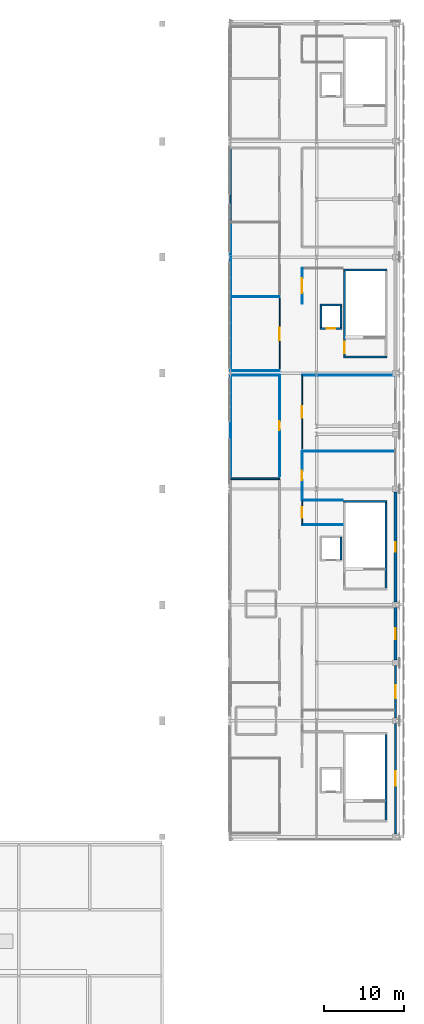
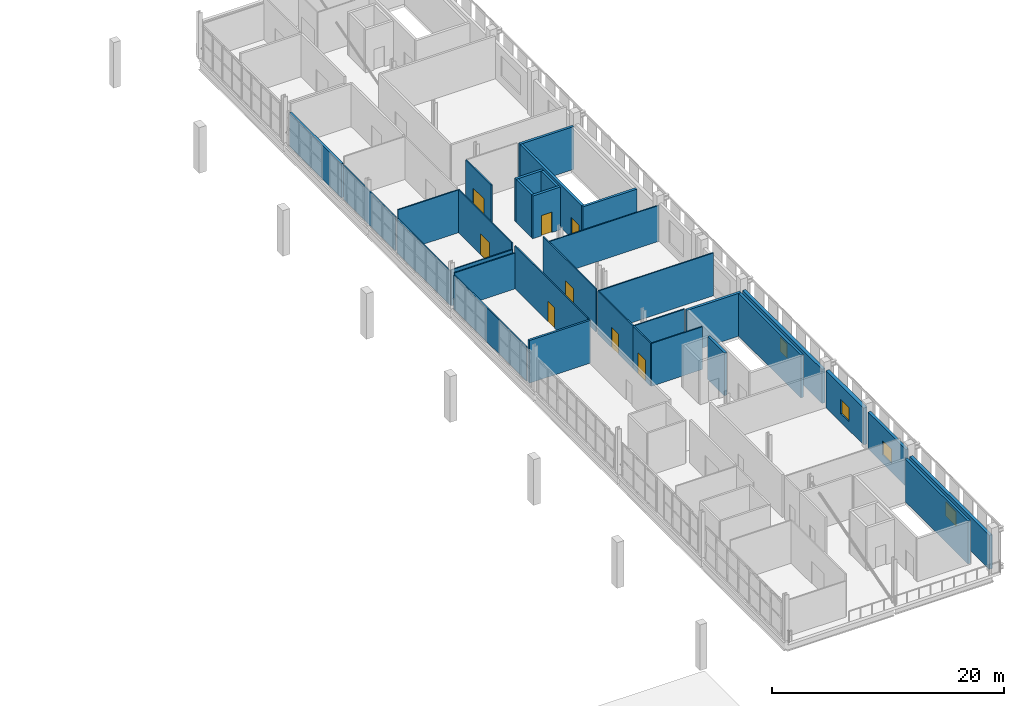
# One storey, part 37 of 51: 33 walls, 8 doors, 4 windows, 12 openings.
"""IFC4 building model written with IfcOpenShell, lengths in metres."""

from ifc_helpers import new_model, si_unit, direction, frame, frame_2d, origin, place, context, subcontext, project, spatial, rectangle, extrude, material, layer, layer_set, type_object, element, fill, save


model = new_model("IFC4")

# Units and contexts
model_context = context("Model", 3, precision=1e-05, world=origin(), true_north=direction((0.0, 1.0)))
body_context = subcontext(model_context, "Body", "Model", "MODEL_VIEW")
ifc_project = project(units=[si_unit("LENGTHUNIT", "METRE"), si_unit("AREAUNIT", "SQUARE_METRE"), si_unit("VOLUMEUNIT", "CUBIC_METRE"), si_unit("PLANEANGLEUNIT", "RADIAN"), si_unit("MASSUNIT", "GRAM", prefix="KILO")], contexts=[model_context])

# Site, building, storey
site_placement = place(None, origin())
site = spatial("IfcSite", under=ifc_project, at=site_placement, CompositionType="ELEMENT")
building_placement = place(site_placement, origin())
building = spatial("IfcBuilding", under=site, at=building_placement, Name="Koshinbarg Plaza Stadium", CompositionType="ELEMENT")
storey_placement = place(building_placement, frame((0.0, 0.0, 24.60009765625)))
storey = spatial("IfcBuildingStorey", under=building, at=storey_placement, Name="L05", CompositionType="ELEMENT", Elevation=24.60009765625)

# Walls
ifc_material_1 = material(Name="Concrete C40/50", Category="concrete")
ifc_layer_1 = layer(ifc_material_1, 0.25)
ifc_layer_set_1 = layer_set([ifc_layer_1], Name="Concrete C40/50")
wall_type_1 = type_object("IfcWallType", Name="WL-CORE-250", PredefinedType="SHEAR", material=ifc_layer_set_1)
wall_1_placement = place(storey_placement, frame((217.195068359375, 27.47509765625, 0.0), z_axis=(0.0, 0.0, 1.0), x_axis=(0.0, 1.0, 0.0)))
element("IfcWall", 1, at=wall_1_placement, inside=storey, type_object=wall_type_1, Name="L05 core stair shear wall C07-right IWL-L05-0185", PredefinedType="SHEAR", context=body_context, shape_type="SweptSolid", body=[
    extrude(rectangle(XDim=10.849853515625, YDim=0.25, at=frame_2d((5.4248046875, 0.0))), origin(), (0.0, 0.0, 1.0), 4.5),
])
wall_2_placement = place(storey_placement, frame((217.320068359375, 67.125, 0.0), z_axis=(0.0, 0.0, 1.0), x_axis=(-1.0, 0.0, 0.0)))
element("IfcWall", 2, at=wall_2_placement, inside=storey, type_object=wall_type_1, Name="L05 core stair shear wall C08-far IWL-L05-0207", PredefinedType="SHEAR", context=body_context, shape_type="SweptSolid", body=[
    extrude(rectangle(XDim=5.3701171875, YDim=0.25, at=frame_2d((2.68505859375, 0.0))), origin(), (0.0, 0.0, 1.0), 4.5),
])
wall_3_placement = place(storey_placement, frame((217.195068359375, 56.27490234375, 0.0), z_axis=(0.0, 0.0, 1.0), x_axis=(0.0, 1.0, 0.0)))
element("IfcWall", 3, at=wall_3_placement, inside=storey, type_object=wall_type_1, Name="L05 core stair shear wall C08-right IWL-L05-0209", PredefinedType="SHEAR", context=body_context, shape_type="SweptSolid", body=[
    extrude(rectangle(XDim=10.85009765625, YDim=0.25, at=frame_2d((5.425048828125, 0.0))), origin(), (0.0, 0.0, 1.0), 4.5),
])
for number, where, z_axis, x_axis, name in (
    (4, (211.949951171875, 85.074951171875, 0.0), (0.0, 0.0, 1.0), (1.0, 0.0, 0.0), "L05 core stair shear wall C09-near IWL-L05-0230"),
    (5, (217.320068359375, 95.925048828125, 0.0), (0.0, 0.0, 1.0), (-1.0, 0.0, 0.0), "L05 core stair shear wall C09-far IWL-L05-0231"),
):
    element("IfcWall", number, at=place(storey_placement, frame(where, z_axis=z_axis, x_axis=x_axis)), inside=storey, type_object=wall_type_1, Name=name, PredefinedType="SHEAR", context=body_context, shape_type="SweptSolid", body=[
        extrude(rectangle(XDim=5.3701171875, YDim=0.25, at=frame_2d((2.68505859375, 0.0))), origin(), (0.0, 0.0, 1.0), 4.5),
    ])

# Wall, opening, door
wall_4_placement = place(storey_placement, frame((212.074951171875, 85.074951171875, 0.0), z_axis=(0.0, 0.0, 1.0), x_axis=(0.0, 1.0, 0.0)))
wall_4 = element("IfcWall", 6, at=wall_4_placement, inside=storey, type_object=wall_type_1, Name="L05 core stair shear wall C09-left IWL-L05-0232", PredefinedType="SHEAR", context=body_context, shape_type="SweptSolid", body=[
    extrude(rectangle(XDim=10.85009765625, YDim=0.25, at=frame_2d((5.425048828125, 0.0))), origin(), (0.0, 0.0, 1.0), 4.5),
])
opening_1_placement = place(wall_4_placement, frame((0.52001953125, 0.0, 0.0)))
opening_1 = element("IfcOpeningElement", 7, at=opening_1_placement, cuts=wall_4, Name="Opening D-0120", PredefinedType="OPENING", context=body_context, shape_type="SweptSolid", body=[
    extrude(rectangle(XDim=1.39990234375, YDim=2.14990234375, at=frame_2d((0.699951171875, 1.074951171875))), frame((0.0, 0.135009765625, 0.0), z_axis=(0.0, -1.0, 0.0), x_axis=(1.0, 0.0, 0.0)), (0.0, 0.0, 1.0), 0.27001953125),
])
ifc_material_2 = material(Name="Painted galvanized steel fire door", Category="steel")
door_type_1 = type_object("IfcDoorType", Name="DR-STAIR-1400", OperationType="NOTDEFINED", PredefinedType="DOOR", material=ifc_material_2)
door_1_placement = place(opening_1_placement, frame((1.39990234375, 0.0, 0.0), z_axis=(0.0, 0.0, 1.0), x_axis=(-1.0, 0.0, 0.0)))
door_1 = element("IfcDoor", 8, at=door_1_placement, inside=storey, type_object=door_type_1, Name="L05 exit stair door C09", OperationType="SINGLE_SWING_LEFT", OverallHeight=2.14990234375, OverallWidth=1.39990234375, PredefinedType="DOOR", context=body_context, shape_type="SweptSolid", body=[
    extrude(rectangle(XDim=1.39990234375, YDim=2.14990234375, at=frame_2d((0.699951171875, 1.074951171875))), frame((0.0, 0.02490234375, 0.0), z_axis=(0.0, -1.0, 0.0), x_axis=(1.0, 0.0, 0.0)), (0.0, 0.0, 1.0), 0.050048828125),
])
fill(opening_1, door_1)

# Wall
wall_5_placement = place(storey_placement, frame((211.64990234375, 59.85009765625, 0.0), z_axis=(0.0, 0.0, 1.0), x_axis=(0.0, 1.0, 0.0)))
element("IfcWall", 9, at=wall_5_placement, inside=storey, type_object=wall_type_1, Name="L05 lift shaft shear wall LP04-E IWL-L05-0909", PredefinedType="SHEAR", context=body_context, shape_type="SweptSolid", body=[
    extrude(rectangle(XDim=2.89990234375, YDim=0.25, at=frame_2d((1.449951171875, 0.0))), origin(), (0.0, 0.0, 1.0), 4.5),
])

# Wall, opening, door
wall_6_placement = place(storey_placement, frame((209.02490234375, 88.64990234375, 0.0), z_axis=(0.0, 0.0, 1.0), x_axis=(1.0, 0.0, 0.0)))
wall_6 = element("IfcWall", 10, at=wall_6_placement, inside=storey, type_object=wall_type_1, Name="L05 lift shaft shear wall LP05-S IWL-L05-0930", PredefinedType="SHEAR", context=body_context, shape_type="SweptSolid", body=[
    extrude(rectangle(XDim=2.75, YDim=0.25, at=frame_2d((1.375, 0.0))), origin(), (0.0, 0.0, 1.0), 4.5),
])
opening_2_placement = place(wall_6_placement, frame((0.85009765625, 0.0, 0.0)))
opening_2 = element("IfcOpeningElement", 11, at=opening_2_placement, cuts=wall_6, Name="Opening D-0302", PredefinedType="OPENING", context=body_context, shape_type="SweptSolid", body=[
    extrude(rectangle(XDim=1.050048828125, YDim=2.14990234375, at=frame_2d((0.52490234375, 1.074951171875))), frame((0.0, 0.135009765625, 0.0), z_axis=(0.0, -1.0, 0.0), x_axis=(1.0, 0.0, 0.0)), (0.0, 0.0, 1.0), 0.27001953125),
])
ifc_material_3 = material(Name="Brushed stainless steel sliding lift landing door", Category="steel")
door_type_2 = type_object("IfcDoorType", Name="DR-LIFT-1050", OperationType="NOTDEFINED", PredefinedType="DOOR", material=ifc_material_3)
door_2_placement = place(opening_2_placement, origin())
door_2 = element("IfcDoor", 12, at=door_2_placement, inside=storey, type_object=door_type_2, Name="L05 lift landing door LP05", OperationType="SLIDING_TO_RIGHT", OverallHeight=2.14990234375, OverallWidth=1.050048828125, PredefinedType="DOOR", context=body_context, shape_type="SweptSolid", body=[
    extrude(rectangle(XDim=1.050048828125, YDim=2.14990234375, at=frame_2d((0.52490234375, 1.074951171875))), frame((0.0, 0.02490234375, 0.0), z_axis=(0.0, -1.0, 0.0), x_axis=(1.0, 0.0, 0.0)), (0.0, 0.0, 1.0), 0.050048828125),
])
fill(opening_2, door_2)

# Walls
wall_7_placement = place(storey_placement, frame((211.77490234375, 91.550048828125, 0.0), z_axis=(0.0, 0.0, 1.0), x_axis=(-1.0, 0.0, 0.0)))
element("IfcWall", 13, at=wall_7_placement, inside=storey, type_object=wall_type_1, Name="L05 lift shaft shear wall LP05-N IWL-L05-0931", PredefinedType="SHEAR", context=body_context, shape_type="SweptSolid", body=[
    extrude(rectangle(XDim=2.75, YDim=0.25, at=frame_2d((1.375, 0.0))), origin(), (0.0, 0.0, 1.0), 4.5),
])
for number, where, z_axis, x_axis, name in (
    (14, (209.14990234375, 91.550048828125, 0.0), (0.0, 0.0, 1.0), (0.0, -1.0, 0.0), "L05 lift shaft shear wall LP05-W IWL-L05-0932"),
    (15, (211.64990234375, 88.64990234375, 0.0), (0.0, 0.0, 1.0), (0.0, 1.0, 0.0), "L05 lift shaft shear wall LP05-E IWL-L05-0933"),
):
    element("IfcWall", number, at=place(storey_placement, frame(where, z_axis=z_axis, x_axis=x_axis)), inside=storey, type_object=wall_type_1, Name=name, PredefinedType="SHEAR", context=body_context, shape_type="SweptSolid", body=[
        extrude(rectangle(XDim=2.900146484375, YDim=0.25, at=frame_2d((1.4501953125, 0.0))), origin(), (0.0, 0.0, 1.0), 4.5),
    ])

# Wall, opening, window
ifc_material_4 = material(Name="Terracotta-ochre mineral plaster insulated wall", Category="masonry")
ifc_layer_2 = layer(ifc_material_4, 0.280029296875)
ifc_layer_set_2 = layer_set([ifc_layer_2], Name="Terracotta-ochre mineral plaster insulated wall")
wall_type_2 = type_object("IfcWallType", Name="WL-EXT-280", PredefinedType="SOLIDWALL", material=ifc_layer_set_2)
wall_8_placement = place(storey_placement, frame((218.39990234375, 46.7548828125, 0.0), z_axis=(0.0, 0.0, 1.0), x_axis=(0.0, -1.0, 0.0)))
wall_8 = element("IfcWall", 16, at=wall_8_placement, inside=storey, type_object=wall_type_2, Name="L05 exterior envelope wall EWL-L05-0244", PredefinedType="SOLIDWALL", context=body_context, shape_type="SweptSolid", body=[
    extrude(rectangle(XDim=6.509765625, YDim=0.280029296875, at=frame_2d((3.2548828125, 0.0))), origin(), (0.0, 0.0, 1.0), 3.8798828125),
])
opening_3_placement = place(wall_8_placement, frame((2.455078125, 0.0, 0.89990234375)))
opening_3 = element("IfcOpeningElement", 17, at=opening_3_placement, cuts=wall_8, Name="Opening WN03", PredefinedType="OPENING", context=body_context, shape_type="SweptSolid", body=[
    extrude(rectangle(XDim=1.60009765625, YDim=1.5, at=frame_2d((0.800048828125, 0.75))), frame((0.0, 0.14990234375, 0.0), z_axis=(0.0, -1.0, 0.0), x_axis=(1.0, 0.0, 0.0)), (0.0, 0.0, 1.0), 0.300048828125),
])
ifc_material_5 = material(Name="Solar-control double glazing in thermally broken aluminium frame", Category="aluminium")
window_type_1 = type_object("IfcWindowType", Name="WN-FAC-03", PartitioningType="DOUBLE_PANEL_VERTICAL", PredefinedType="WINDOW", material=ifc_material_5)
window_1_placement = place(opening_3_placement, origin())
window_1 = element("IfcWindow", 18, at=window_1_placement, inside=storey, type_object=window_type_1, Name="L05 facade window 0176", OverallHeight=1.5, OverallWidth=1.60009765625, PartitioningType="SINGLE_PANEL", PredefinedType="WINDOW", context=body_context, shape_type="SweptSolid", body=[
    extrude(rectangle(XDim=1.60009765625, YDim=1.5, at=frame_2d((0.800048828125, 0.75))), frame((0.0, 0.030029296875, 0.0), z_axis=(0.0, -1.0, 0.0), x_axis=(1.0, 0.0, 0.0)), (0.0, 0.0, 1.0), 0.06005859375),
])
fill(opening_3, window_1)

ifc_material_6 = material(Name="Off-white mineral plaster insulated wall", Category="masonry")
ifc_layer_3 = layer(ifc_material_6, 0.300048828125)
ifc_layer_set_3 = layer_set([ifc_layer_3], Name="Off-white mineral plaster insulated wall")
wall_type_3 = type_object("IfcWallType", Name="WL-EXT-300", PredefinedType="SOLIDWALL", material=ifc_layer_set_3)
wall_9_placement = place(storey_placement, frame((218.39990234375, 39.554931640625, 0.0), z_axis=(0.0, 0.0, 1.0), x_axis=(0.0, -1.0, 0.0)))
wall_9 = element("IfcWall", 19, at=wall_9_placement, inside=storey, type_object=wall_type_3, Name="L05 exterior envelope wall EWL-L05-0245", PredefinedType="SOLIDWALL", context=body_context, shape_type="SweptSolid", body=[
    extrude(rectangle(XDim=13.7099609375, YDim=0.300048828125, at=frame_2d((6.85498046875, 0.0))), origin(), (0.0, 0.0, 1.0), 3.579833984375),
])
opening_4_placement = place(wall_9_placement, frame((5.955078125, 0.0, 0.89990234375)))
opening_4 = element("IfcOpeningElement", 20, at=opening_4_placement, cuts=wall_9, Name="Opening WN04", PredefinedType="OPENING", context=body_context, shape_type="SweptSolid", body=[
    extrude(rectangle(XDim=1.800048828125, YDim=1.5, at=frame_2d((0.89990234375, 0.75))), frame((0.0, 0.159912109375, 0.0), z_axis=(0.0, -1.0, 0.0), x_axis=(1.0, 0.0, 0.0)), (0.0, 0.0, 1.0), 0.320068359375),
])
window_type_2 = type_object("IfcWindowType", Name="WN-FAC-04", PartitioningType="DOUBLE_PANEL_VERTICAL", PredefinedType="WINDOW", material=ifc_material_5)
window_2_placement = place(opening_4_placement, origin())
window_2 = element("IfcWindow", 21, at=window_2_placement, inside=storey, type_object=window_type_2, Name="L05 facade window 0177", OverallHeight=1.5, OverallWidth=1.800048828125, PartitioningType="SINGLE_PANEL", PredefinedType="WINDOW", context=body_context, shape_type="SweptSolid", body=[
    extrude(rectangle(XDim=1.800048828125, YDim=1.5, at=frame_2d((0.89990234375, 0.75))), frame((0.0, 0.030029296875, 0.0), z_axis=(0.0, -1.0, 0.0), x_axis=(1.0, 0.0, 0.0)), (0.0, 0.0, 1.0), 0.06005859375),
])
fill(opening_4, window_2)

ifc_material_7 = material(Name="Ultramarine-blue pigmented mineral plaster facade wall", Category="masonry")
ifc_layer_4 = layer(ifc_material_7, 0.320068359375)
ifc_layer_set_4 = layer_set([ifc_layer_4], Name="Ultramarine-blue pigmented mineral plaster facade wall")
wall_type_4 = type_object("IfcWallType", Name="WL-EXT-320", PredefinedType="SOLIDWALL", material=ifc_layer_set_4)
wall_10_placement = place(storey_placement, frame((218.39990234375, 68.35498046875, 0.0), z_axis=(0.0, 0.0, 1.0), x_axis=(0.0, -1.0, 0.0)))
wall_10 = element("IfcWall", 22, at=wall_10_placement, inside=storey, type_object=wall_type_4, Name="L05 exterior envelope wall EWL-L05-0242", PredefinedType="SOLIDWALL", context=body_context, shape_type="SweptSolid", body=[
    extrude(rectangle(XDim=13.7099609375, YDim=0.320068359375, at=frame_2d((6.85498046875, 0.0))), origin(), (0.0, 0.0, 1.0), 3.579833984375),
])
opening_5_placement = place(wall_10_placement, frame((6.2548828125, 0.0, 0.89990234375)))
opening_5 = element("IfcOpeningElement", 23, at=opening_5_placement, cuts=wall_10, Name="Opening WN01", PredefinedType="OPENING", context=body_context, shape_type="SweptSolid", body=[
    extrude(rectangle(XDim=1.199951171875, YDim=1.5, at=frame_2d((0.60009765625, 0.75))), frame((0.0, 0.169921875, 0.0), z_axis=(0.0, -1.0, 0.0), x_axis=(1.0, 0.0, 0.0)), (0.0, 0.0, 1.0), 0.340087890625),
])
window_type_3 = type_object("IfcWindowType", Name="WN-FAC-01", PartitioningType="DOUBLE_PANEL_VERTICAL", PredefinedType="WINDOW", material=ifc_material_5)
window_3_placement = place(opening_5_placement, origin())
window_3 = element("IfcWindow", 24, at=window_3_placement, inside=storey, type_object=window_type_3, Name="L05 facade window 0174", OverallHeight=1.5, OverallWidth=1.199951171875, PartitioningType="SINGLE_PANEL", PredefinedType="WINDOW", context=body_context, shape_type="SweptSolid", body=[
    extrude(rectangle(XDim=1.199951171875, YDim=1.5, at=frame_2d((0.60009765625, 0.75))), frame((0.0, 0.030029296875, 0.0), z_axis=(0.0, -1.0, 0.0), x_axis=(1.0, 0.0, 0.0)), (0.0, 0.0, 1.0), 0.06005859375),
])
fill(opening_5, window_3)

ifc_material_8 = material(Name="Acoustic insulated masonry stadium wall", Category="masonry")
ifc_layer_5 = layer(ifc_material_8, 0.35009765625)
ifc_layer_set_5 = layer_set([ifc_layer_5], Name="Acoustic insulated masonry stadium wall")
wall_type_5 = type_object("IfcWallType", Name="WL-EXT-350", PredefinedType="SOLIDWALL", material=ifc_layer_set_5)
wall_11_placement = place(storey_placement, frame((218.39990234375, 53.955078125, 0.0), z_axis=(0.0, 0.0, 1.0), x_axis=(0.0, -1.0, 0.0)))
wall_11 = element("IfcWall", 25, at=wall_11_placement, inside=storey, type_object=wall_type_5, Name="L05 exterior envelope wall EWL-L05-0243", PredefinedType="SOLIDWALL", context=body_context, shape_type="SweptSolid", body=[
    extrude(rectangle(XDim=6.510009765625, YDim=0.35009765625, at=frame_2d((3.2548828125, 0.0))), origin(), (0.0, 0.0, 1.0), 3.8798828125),
])
opening_6_placement = place(wall_11_placement, frame((2.554931640625, 0.0, 0.89990234375)))
opening_6 = element("IfcOpeningElement", 26, at=opening_6_placement, cuts=wall_11, Name="Opening WN02", PredefinedType="OPENING", context=body_context, shape_type="SweptSolid", body=[
    extrude(rectangle(XDim=1.39990234375, YDim=1.5, at=frame_2d((0.699951171875, 0.75))), frame((0.0, 0.18505859375, 0.0), z_axis=(0.0, -1.0, 0.0), x_axis=(1.0, 0.0, 0.0)), (0.0, 0.0, 1.0), 0.3701171875),
])
window_type_4 = type_object("IfcWindowType", Name="WN-FAC-02", PartitioningType="DOUBLE_PANEL_VERTICAL", PredefinedType="WINDOW", material=ifc_material_5)
window_4_placement = place(opening_6_placement, origin())
window_4 = element("IfcWindow", 27, at=window_4_placement, inside=storey, type_object=window_type_4, Name="L05 facade window 0175", OverallHeight=1.5, OverallWidth=1.39990234375, PartitioningType="SINGLE_PANEL", PredefinedType="WINDOW", context=body_context, shape_type="SweptSolid", body=[
    extrude(rectangle(XDim=1.39990234375, YDim=1.5, at=frame_2d((0.699951171875, 0.75))), frame((0.0, 0.030029296875, 0.0), z_axis=(0.0, -1.0, 0.0), x_axis=(1.0, 0.0, 0.0)), (0.0, 0.0, 1.0), 0.06005859375),
])
fill(opening_6, window_4)

# Wall, opening, door
ifc_material_9 = material(Name="Gypsum board metal-stud acoustic partition")
ifc_layer_6 = layer(ifc_material_9, 0.1201171875)
ifc_layer_set_6 = layer_set([ifc_layer_6], Name="Gypsum board metal-stud acoustic partition")
wall_type_6 = type_object("IfcWallType", Name="WL-PART-120", PredefinedType="PARTITIONING", material=ifc_layer_set_6)
wall_12_placement = place(storey_placement, frame((204.0, 70.278076171875, 0.0), z_axis=(0.0, 0.0, 1.0), x_axis=(0.0, 1.0, 0.0)))
wall_12 = element("IfcWall", 28, at=wall_12_placement, inside=storey, type_object=wall_type_6, Name="L05 interior partition L05-67-east IWL-L05-2346", PredefinedType="PARTITIONING", context=body_context, shape_type="SweptSolid", body=[
    extrude(rectangle(XDim=12.552001953125, YDim=0.1201171875, at=frame_2d((6.27587890625, 0.0))), origin(), (0.0, 0.0, 1.0), 4.5),
])
opening_7_placement = place(wall_12_placement, frame((5.716064453125, 0.0, 0.0)))
opening_7 = element("IfcOpeningElement", 29, at=opening_7_placement, cuts=wall_12, Name="Opening D-0814", PredefinedType="OPENING", context=body_context, shape_type="SweptSolid", body=[
    extrude(rectangle(XDim=1.1201171875, YDim=2.14990234375, at=frame_2d((0.56005859375, 1.074951171875))), frame((0.0, 0.070068359375, 0.0), z_axis=(0.0, -1.0, 0.0), x_axis=(1.0, 0.0, 0.0)), (0.0, 0.0, 1.0), 0.14013671875),
])
ifc_material_10 = material(Name="Acoustic timber broadcast studio door", Category="wood")
door_type_3 = type_object("IfcDoorType", Name="DR-INT-1120x2150", OperationType="NOTDEFINED", PredefinedType="DOOR", material=ifc_material_10)
door_3_placement = place(opening_7_placement, origin())
door_3 = element("IfcDoor", 30, at=door_3_placement, inside=storey, type_object=door_type_3, Name="L05 East Terrace Kitchen door D-0814", OperationType="SINGLE_SWING_RIGHT", OverallHeight=2.14990234375, OverallWidth=1.1201171875, PredefinedType="DOOR", context=body_context, shape_type="SweptSolid", body=[
    extrude(rectangle(XDim=1.1201171875, YDim=2.14990234375, at=frame_2d((0.56005859375, 1.074951171875))), frame((0.0, 0.02490234375, 0.0), z_axis=(0.0, -1.0, 0.0), x_axis=(1.0, 0.0, 0.0)), (0.0, 0.0, 1.0), 0.050048828125),
])
fill(opening_7, door_3)

# Walls
wall_13_placement = place(storey_placement, frame((204.0, 82.830078125, 0.0), z_axis=(0.0, 0.0, 1.0), x_axis=(-1.0, 0.0, 0.0)))
element("IfcWall", 31, at=wall_13_placement, inside=storey, type_object=wall_type_6, Name="L05 interior partition L05-67-north IWL-L05-2347", PredefinedType="PARTITIONING", context=body_context, shape_type="SweptSolid", body=[
    extrude(rectangle(XDim=6.080078125, YDim=0.1201171875, at=frame_2d((3.0400390625, 0.0))), origin(), (0.0, 0.0, 1.0), 3.77978515625),
])
wall_14_placement = place(storey_placement, frame((197.919921875, 82.830078125, 0.0), z_axis=(0.0, 0.0, 1.0), x_axis=(0.0, -1.0, 0.0)))
element("IfcWall", 32, at=wall_14_placement, inside=storey, type_object=wall_type_6, Name="L05 interior partition L05-67-west IWL-L05-2348", PredefinedType="PARTITIONING", context=body_context, shape_type="SweptSolid", body=[
    extrude(rectangle(XDim=12.552001953125, YDim=0.1201171875, at=frame_2d((6.27587890625, 0.0))), origin(), (0.0, 0.0, 1.0), 3.579833984375),
])
wall_15_placement = place(storey_placement, frame((218.2548828125, 73.4052734375, 0.0), z_axis=(0.0, 0.0, 1.0), x_axis=(-1.0, 0.0, 0.0)))
element("IfcWall", 33, at=wall_15_placement, inside=storey, type_object=wall_type_6, Name="L05 interior partition L05-68-north IWL-L05-2349", PredefinedType="PARTITIONING", context=body_context, shape_type="SweptSolid", body=[
    extrude(rectangle(XDim=11.454833984375, YDim=0.1201171875, at=frame_2d((5.7275390625, 0.0))), origin(), (0.0, 0.0, 1.0), 4.5),
])

# Wall, opening, door
wall_16_placement = place(storey_placement, frame((206.800048828125, 73.4052734375, 0.0), z_axis=(0.0, 0.0, 1.0), x_axis=(0.0, -1.0, 0.0)))
wall_16 = element("IfcWall", 34, at=wall_16_placement, inside=storey, type_object=wall_type_6, Name="L05 interior partition L05-68-west IWL-L05-2350", PredefinedType="PARTITIONING", context=body_context, shape_type="SweptSolid", body=[
    extrude(rectangle(XDim=6.0751953125, YDim=0.1201171875, at=frame_2d((3.03759765625, 0.0))), origin(), (0.0, 0.0, 1.0), 4.5),
])
opening_8_placement = place(wall_16_placement, frame((2.4375, 0.0, 0.0)))
opening_8 = element("IfcOpeningElement", 35, at=opening_8_placement, cuts=wall_16, Name="Opening D-0815", PredefinedType="OPENING", context=body_context, shape_type="SweptSolid", body=[
    extrude(rectangle(XDim=1.199951171875, YDim=2.14990234375, at=frame_2d((0.60009765625, 1.074951171875))), frame((0.0, 0.070068359375, 0.0), z_axis=(0.0, -1.0, 0.0), x_axis=(1.0, 0.0, 0.0)), (0.0, 0.0, 1.0), 0.14013671875),
])
ifc_material_11 = material(Name="Solid-core hardwood leaf in painted steel frame", Category="steel")
door_type_4 = type_object("IfcDoorType", Name="DR-INT-1200x2150", OperationType="NOTDEFINED", PredefinedType="DOOR", material=ifc_material_11)
door_4_placement = place(opening_8_placement, origin())
door_4 = element("IfcDoor", 36, at=door_4_placement, inside=storey, type_object=door_type_4, Name="L05 East Sky Terrace Dining Hall door D-0815", OperationType="SINGLE_SWING_LEFT", OverallHeight=2.14990234375, OverallWidth=1.199951171875, PredefinedType="DOOR", context=body_context, shape_type="SweptSolid", body=[
    extrude(rectangle(XDim=1.199951171875, YDim=2.14990234375, at=frame_2d((0.60009765625, 1.074951171875))), frame((0.0, 0.02490234375, 0.0), z_axis=(0.0, -1.0, 0.0), x_axis=(1.0, 0.0, 0.0)), (0.0, 0.0, 1.0), 0.050048828125),
])
fill(opening_8, door_4)

# Walls
for number, where, z_axis, x_axis, name in (
    (37, (206.800048828125, 64.280517578125, 0.0), (0.0, 0.0, 1.0), (1.0, 0.0, 0.0), "L05 interior partition L05-69-south IWL-L05-2351"),
    (38, (211.8701171875, 67.330078125, 0.0), (0.0, 0.0, 1.0), (-1.0, 0.0, 0.0), "L05 interior partition L05-69-north IWL-L05-2352"),
):
    element("IfcWall", number, at=place(storey_placement, frame(where, z_axis=z_axis, x_axis=x_axis)), inside=storey, type_object=wall_type_6, Name=name, PredefinedType="PARTITIONING", context=body_context, shape_type="SweptSolid", body=[
        extrude(rectangle(XDim=5.070068359375, YDim=0.1201171875, at=frame_2d((2.53515625, 0.0))), origin(), (0.0, 0.0, 1.0), 4.5),
    ])

# Wall, opening, door
wall_17_placement = place(storey_placement, frame((206.800048828125, 67.330078125, 0.0), z_axis=(0.0, 0.0, 1.0), x_axis=(0.0, -1.0, 0.0)))
wall_17 = element("IfcWall", 39, at=wall_17_placement, inside=storey, type_object=wall_type_6, Name="L05 interior partition L05-69-west IWL-L05-2353", PredefinedType="PARTITIONING", context=body_context, shape_type="SweptSolid", body=[
    extrude(rectangle(XDim=3.049560546875, YDim=0.1201171875, at=frame_2d((1.52490234375, 0.0))), origin(), (0.0, 0.0, 1.0), 4.5),
])
opening_9_placement = place(wall_17_placement, frame((0.874755859375, 0.0, 0.0)))
opening_9 = element("IfcOpeningElement", 40, at=opening_9_placement, cuts=wall_17, Name="Opening D-0816", PredefinedType="OPENING", context=body_context, shape_type="SweptSolid", body=[
    extrude(rectangle(XDim=1.300048828125, YDim=2.199951171875, at=frame_2d((0.64990234375, 1.10009765625))), frame((0.0, 0.070068359375, 0.0), z_axis=(0.0, -1.0, 0.0), x_axis=(1.0, 0.0, 0.0)), (0.0, 0.0, 1.0), 0.14013671875),
])
ifc_material_12 = material(Name="Thermally broken anodised aluminium glazed door", Category="aluminium")
door_type_5 = type_object("IfcDoorType", Name="DR-INT-1300x2200", OperationType="NOTDEFINED", PredefinedType="DOOR", material=ifc_material_12)
door_5_placement = place(opening_9_placement, origin())
door_5 = element("IfcDoor", 41, at=door_5_placement, inside=storey, type_object=door_type_5, Name="L05 Panoramic Club Salon door D-0816", OperationType="SINGLE_SWING_RIGHT", OverallHeight=2.199951171875, OverallWidth=1.300048828125, PredefinedType="DOOR", context=body_context, shape_type="SweptSolid", body=[
    extrude(rectangle(XDim=1.300048828125, YDim=2.199951171875, at=frame_2d((0.64990234375, 1.10009765625))), frame((0.0, 0.02490234375, 0.0), z_axis=(0.0, -1.0, 0.0), x_axis=(1.0, 0.0, 0.0)), (0.0, 0.0, 1.0), 0.050048828125),
])
fill(opening_9, door_5)

# Wall
wall_18_placement = place(storey_placement, frame((218.2548828125, 82.830078125, 0.0), z_axis=(0.0, 0.0, 1.0), x_axis=(-1.0, 0.0, 0.0)))
element("IfcWall", 42, at=wall_18_placement, inside=storey, type_object=wall_type_6, Name="L05 interior partition L05-70-north IWL-L05-2354", PredefinedType="PARTITIONING", context=body_context, shape_type="SweptSolid", body=[
    extrude(rectangle(XDim=11.454833984375, YDim=0.1201171875, at=frame_2d((5.7275390625, 0.0))), origin(), (0.0, 0.0, 1.0), 3.77978515625),
])

# Wall, opening, door
wall_19_placement = place(storey_placement, frame((206.800048828125, 82.830078125, 0.0), z_axis=(0.0, 0.0, 1.0), x_axis=(0.0, -1.0, 0.0)))
wall_19 = element("IfcWall", 43, at=wall_19_placement, inside=storey, type_object=wall_type_6, Name="L05 interior partition L05-70-west IWL-L05-2355", PredefinedType="PARTITIONING", context=body_context, shape_type="SweptSolid", body=[
    extrude(rectangle(XDim=9.125, YDim=0.1201171875, at=frame_2d((4.5625, 0.0))), origin(), (0.0, 0.0, 1.0), 4.5),
])
opening_10_placement = place(wall_19_placement, frame((3.8623046875, 0.0, 0.0)))
opening_10 = element("IfcOpeningElement", 44, at=opening_10_placement, cuts=wall_19, Name="Opening D-0817", PredefinedType="OPENING", context=body_context, shape_type="SweptSolid", body=[
    extrude(rectangle(XDim=1.39990234375, YDim=2.199951171875, at=frame_2d((0.699951171875, 1.10009765625))), frame((0.0, 0.070068359375, 0.0), z_axis=(0.0, -1.0, 0.0), x_axis=(1.0, 0.0, 0.0)), (0.0, 0.0, 1.0), 0.14013671875),
])
ifc_material_13 = material(Name="Stainless-clad solid-core timber double fire door", Category="wood")
door_type_6 = type_object("IfcDoorType", Name="DR-INT-1400x2200", OperationType="NOTDEFINED", PredefinedType="DOOR", material=ifc_material_13)
door_6_placement = place(opening_10_placement, origin())
door_6 = element("IfcDoor", 45, at=door_6_placement, inside=storey, type_object=door_type_6, Name="L05 Panoramic Club Salon door D-0817", OperationType="DOUBLE_DOOR_SINGLE_SWING", OverallHeight=2.199951171875, OverallWidth=1.39990234375, PredefinedType="DOOR", context=body_context, shape_type="SweptSolid", body=[
    extrude(rectangle(XDim=1.39990234375, YDim=2.199951171875, at=frame_2d((0.699951171875, 1.10009765625))), frame((0.0, 0.02490234375, 0.0), z_axis=(0.0, -1.0, 0.0), x_axis=(1.0, 0.0, 0.0)), (0.0, 0.0, 1.0), 0.050048828125),
])
fill(opening_10, door_6)

# Wall
wall_20_placement = place(storey_placement, frame((197.919921875, 83.3701171875, 0.0), z_axis=(0.0, 0.0, 1.0), x_axis=(1.0, 0.0, 0.0)))
element("IfcWall", 46, at=wall_20_placement, inside=storey, type_object=wall_type_6, Name="L05 interior partition L05-71-south IWL-L05-2356", PredefinedType="PARTITIONING", context=body_context, shape_type="SweptSolid", body=[
    extrude(rectangle(XDim=6.080078125, YDim=0.1201171875, at=frame_2d((3.0400390625, 0.0))), origin(), (0.0, 0.0, 1.0), 3.77978515625),
])

# Wall, opening, door
wall_21_placement = place(storey_placement, frame((204.0, 83.3701171875, 0.0), z_axis=(0.0, 0.0, 1.0), x_axis=(0.0, 1.0, 0.0)))
wall_21 = element("IfcWall", 47, at=wall_21_placement, inside=storey, type_object=wall_type_6, Name="L05 interior partition L05-71-east IWL-L05-2357", PredefinedType="PARTITIONING", context=body_context, shape_type="SweptSolid", body=[
    extrude(rectangle(XDim=9.213134765625, YDim=0.1201171875, at=frame_2d((4.6064453125, 0.0))), origin(), (0.0, 0.0, 1.0), 4.5),
])
opening_11_placement = place(wall_21_placement, frame((3.83154296875, 0.0, 0.0)))
opening_11 = element("IfcOpeningElement", 48, at=opening_11_placement, cuts=wall_21, Name="Opening D-0818", PredefinedType="OPENING", context=body_context, shape_type="SweptSolid", body=[
    extrude(rectangle(XDim=1.550048828125, YDim=2.199951171875, at=frame_2d((0.77490234375, 1.10009765625))), frame((0.0, 0.070068359375, 0.0), z_axis=(0.0, -1.0, 0.0), x_axis=(1.0, 0.0, 0.0)), (0.0, 0.0, 1.0), 0.14013671875),
])
ifc_material_14 = material(Name="Toughened laminated glass in aluminium frame", Category="aluminium")
door_type_7 = type_object("IfcDoorType", Name="DR-INT-1550x2200", OperationType="NOTDEFINED", PredefinedType="DOOR", material=ifc_material_14)
door_7_placement = place(opening_11_placement, origin())
door_7 = element("IfcDoor", 49, at=door_7_placement, inside=storey, type_object=door_type_7, Name="L05 East Sky Terrace Dining Hall door D-0818", OperationType="DOUBLE_DOOR_SINGLE_SWING", OverallHeight=2.199951171875, OverallWidth=1.550048828125, PredefinedType="DOOR", context=body_context, shape_type="SweptSolid", body=[
    extrude(rectangle(XDim=1.550048828125, YDim=2.199951171875, at=frame_2d((0.77490234375, 1.10009765625))), frame((0.0, 0.02490234375, 0.0), z_axis=(0.0, -1.0, 0.0), x_axis=(1.0, 0.0, 0.0)), (0.0, 0.0, 1.0), 0.050048828125),
])
fill(opening_11, door_7)

# Walls
wall_22_placement = place(storey_placement, frame((204.0, 92.583251953125, 0.0), z_axis=(0.0, 0.0, 1.0), x_axis=(-1.0, 0.0, 0.0)))
element("IfcWall", 50, at=wall_22_placement, inside=storey, type_object=wall_type_6, Name="L05 interior partition L05-71-north IWL-L05-2358", PredefinedType="PARTITIONING", context=body_context, shape_type="SweptSolid", body=[
    extrude(rectangle(XDim=6.080078125, YDim=0.1201171875, at=frame_2d((3.0400390625, 0.0))), origin(), (0.0, 0.0, 1.0), 4.5),
])
wall_23_placement = place(storey_placement, frame((197.919921875, 92.583251953125, 0.0), z_axis=(0.0, 0.0, 1.0), x_axis=(0.0, -1.0, 0.0)))
element("IfcWall", 51, at=wall_23_placement, inside=storey, type_object=wall_type_6, Name="L05 interior partition L05-71-west IWL-L05-2359", PredefinedType="PARTITIONING", context=body_context, shape_type="SweptSolid", body=[
    extrude(rectangle(XDim=9.213134765625, YDim=0.1201171875, at=frame_2d((4.6064453125, 0.0))), origin(), (0.0, 0.0, 1.0), 3.579833984375),
])
wall_24_placement = place(storey_placement, frame((197.919921875, 101.816650390625, 0.0), z_axis=(0.0, 0.0, 1.0), x_axis=(0.0, -1.0, 0.0)))
element("IfcWall", 52, at=wall_24_placement, inside=storey, type_object=wall_type_6, Name="L05 interior partition L05-72-west IWL-L05-2362", PredefinedType="PARTITIONING", context=body_context, shape_type="SweptSolid", body=[
    extrude(rectangle(XDim=8.933349609375, YDim=0.1201171875, at=frame_2d((4.466796875, 0.0))), origin(), (0.0, 0.0, 1.0), 3.579833984375),
])

# Wall, opening, door
wall_25_placement = place(storey_placement, frame((206.800048828125, 96.1298828125, 0.0), z_axis=(0.0, 0.0, 1.0), x_axis=(0.0, -1.0, 0.0)))
wall_25 = element("IfcWall", 53, at=wall_25_placement, inside=storey, type_object=wall_type_6, Name="L05 interior partition L05-74-west IWL-L05-2367", PredefinedType="PARTITIONING", context=body_context, shape_type="SweptSolid", body=[
    extrude(rectangle(XDim=4.39990234375, YDim=0.1201171875, at=frame_2d((2.199951171875, 0.0))), origin(), (0.0, 0.0, 1.0), 4.5),
])
opening_12_placement = place(wall_25_placement, frame((1.27001953125, 0.0, 0.0)))
opening_12 = element("IfcOpeningElement", 54, at=opening_12_placement, cuts=wall_25, Name="Opening D-0821", PredefinedType="OPENING", context=body_context, shape_type="SweptSolid", body=[
    extrude(rectangle(XDim=1.860107421875, YDim=2.300048828125, at=frame_2d((0.93017578125, 1.14990234375))), frame((0.0, 0.070068359375, 0.0), z_axis=(0.0, -1.0, 0.0), x_axis=(1.0, 0.0, 0.0)), (0.0, 0.0, 1.0), 0.14013671875),
])
ifc_material_15 = material(Name="Acoustic solid-core walnut veneer fire door")
door_type_8 = type_object("IfcDoorType", Name="DR-INT-1860x2300", OperationType="NOTDEFINED", PredefinedType="DOOR", material=ifc_material_15)
door_8_placement = place(opening_12_placement, origin())
door_8 = element("IfcDoor", 55, at=door_8_placement, inside=storey, type_object=door_type_8, Name="L05 Panoramic Club Salon door D-0821", OperationType="DOUBLE_DOOR_SINGLE_SWING", OverallHeight=2.300048828125, OverallWidth=1.860107421875, PredefinedType="DOOR", context=body_context, shape_type="SweptSolid", body=[
    extrude(rectangle(XDim=1.860107421875, YDim=2.300048828125, at=frame_2d((0.93017578125, 1.14990234375))), frame((0.0, 0.02490234375, 0.0), z_axis=(0.0, -1.0, 0.0), x_axis=(1.0, 0.0, 0.0)), (0.0, 0.0, 1.0), 0.050048828125),
])
fill(opening_12, door_8)

# Walls
ifc_material_16 = material(Name="Autoclaved aerated blockwork fire partition", Category="masonry")
ifc_layer_7 = layer(ifc_material_16, 0.199951171875)
ifc_layer_set_7 = layer_set([ifc_layer_7], Name="Autoclaved aerated blockwork fire partition")
wall_type_7 = type_object("IfcWallType", Name="WL-PART-200", PredefinedType="PARTITIONING", material=ifc_layer_set_7)
wall_26_placement = place(storey_placement, frame((204.0, 69.97802734375, 0.0), z_axis=(0.0, 0.0, 1.0), x_axis=(-1.0, 0.0, 0.0)))
element("IfcWall", 56, at=wall_26_placement, inside=storey, type_object=wall_type_7, Name="L05 interior partition L05-66-north IWL-L05-2344", PredefinedType="PARTITIONING", context=body_context, shape_type="SweptSolid", body=[
    extrude(rectangle(XDim=6.080078125, YDim=0.199951171875, at=frame_2d((3.0400390625, 0.0))), origin(), (0.0, 0.0, 1.0), 4.5),
])
wall_27_placement = place(storey_placement, frame((197.919921875, 111.050048828125, 0.0), z_axis=(0.0, 0.0, 1.0), x_axis=(0.0, -1.0, 0.0)))
element("IfcWall", 57, at=wall_27_placement, inside=storey, type_object=wall_type_7, Name="L05 interior partition L05-73-west IWL-L05-2365", PredefinedType="PARTITIONING", context=body_context, shape_type="SweptSolid", body=[
    extrude(rectangle(XDim=8.933349609375, YDim=0.199951171875, at=frame_2d((4.466796875, 0.0))), origin(), (0.0, 0.0, 1.0), 3.579833984375),
])

save(model, "model.ifc")
